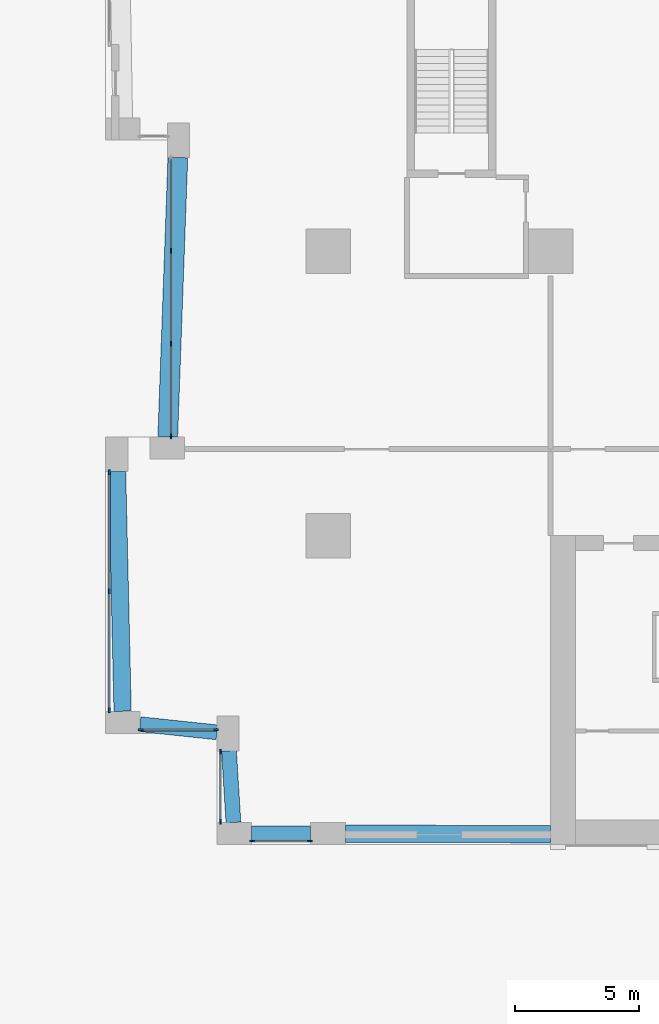
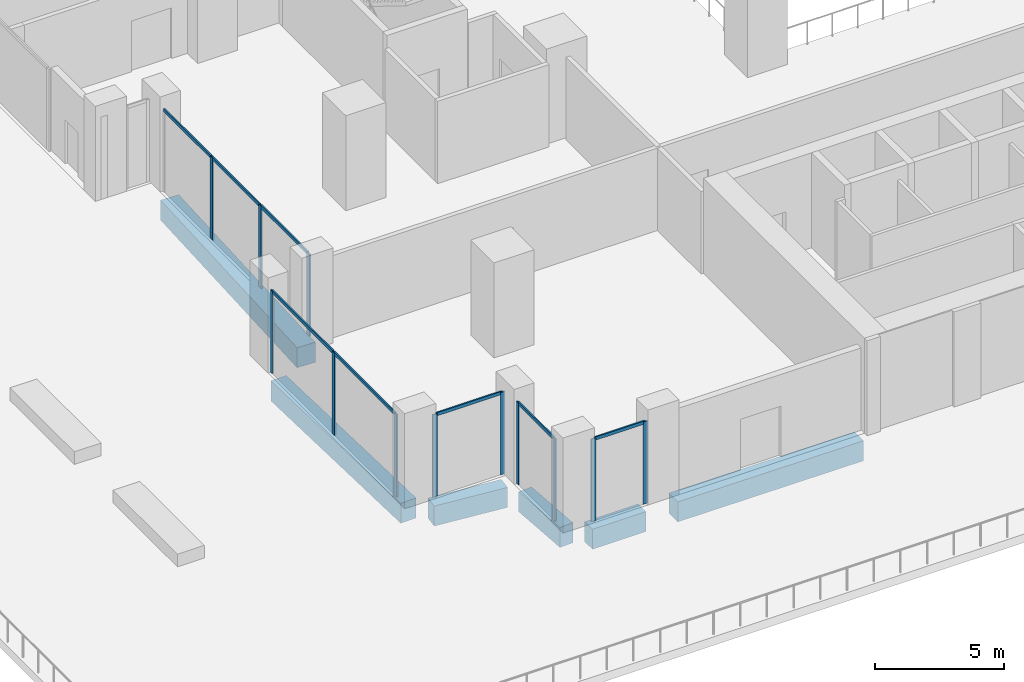
# One storey, part 2 of 19: 20 members, 6 beams, 5 elements without a shape of their own.
"""IFC4 building model written with IfcOpenShell, lengths in metres."""

from ifc_helpers import new_model, si_unit, direction, frame, origin, origin_2d, place, context, subcontext, project, spatial, rectangle, extrude, material, layer, layer_set, material_profile, profile_set, type_object, element, aggregate, save


model = new_model("IFC4")

# Units and contexts
model_context = context("Model", 3, precision=1e-05, world=origin(), true_north=direction((0.0, 1.0)))
body_context = subcontext(model_context, "Body", "Model", "MODEL_VIEW")
ifc_project = project(units=[si_unit("LENGTHUNIT", "METRE"), si_unit("AREAUNIT", "SQUARE_METRE"), si_unit("VOLUMEUNIT", "CUBIC_METRE"), si_unit("PLANEANGLEUNIT", "RADIAN"), si_unit("MASSUNIT", "GRAM", prefix="KILO")], contexts=[model_context])

# Site, building, storey
site_placement = place(None, origin())
site = spatial("IfcSite", under=ifc_project, at=site_placement, CompositionType="ELEMENT")
building_placement = place(site_placement, origin())
building = spatial("IfcBuilding", under=site, at=building_placement, Name="Brigalow Station Residences", CompositionType="ELEMENT")
storey_placement = place(building_placement, frame((0.0, 0.0, 11.0)))
storey = spatial("IfcBuildingStorey", under=building, at=storey_placement, Name="L02", CompositionType="ELEMENT", Elevation=11.0)

# Beams
ifc_material_1 = material(Name="Concrete C65", Category="concrete")
ifc_material_profile_1 = material_profile(ifc_material_1, rectangle(XDim=0.699951171875, YDim=0.949951171875, at=origin_2d()), Name="RC700x950")
ifc_profile_set_1 = profile_set([ifc_material_profile_1], Name="Concrete C65")
beam_type_1 = type_object("IfcBeamType", Name="EDGE GIRDER 4.5 TO 9.9 M SPAN 700x950 C65", PredefinedType="BEAM", material=ifc_profile_set_1)
beam_1_placement = place(storey_placement, frame((9.699951171875, 0.4482421875, -0.876953125), z_axis=(0.99999649594, -0.002647283132, 0.0), x_axis=(0.002647283132, 0.99999649594, 0.0)))
element("IfcBeam", 1, at=beam_1_placement, inside=storey, type_object=beam_type_1, Name="FOOTPRINT EDGE GIRDER 2 L02", PredefinedType="BEAM", context=body_context, shape_type="SweptSolid", body=[
    extrude(rectangle(XDim=0.699951171875, YDim=0.949951171875, at=origin_2d()), origin(), (0.0, 0.0, 1.0), 8.300048828125),
])
beam_2_placement = place(storey_placement, frame((0.466064453125, 15.10009765625, -0.876953125), z_axis=(0.023048340536, -0.999734351715, 0.0), x_axis=(0.999734351715, 0.023048340536, 0.0)))
element("IfcBeam", 2, at=beam_2_placement, inside=storey, type_object=beam_type_1, Name="FOOTPRINT EDGE GIRDER 24 L02", PredefinedType="BEAM", context=body_context, shape_type="SweptSolid", body=[
    extrude(rectangle(XDim=0.699951171875, YDim=0.949951171875, at=origin_2d()), origin(), (0.0, 0.0, 1.0), 9.702880859375),
])
ifc_material_2 = material(Name="Concrete C65", Category="concrete")
ifc_material_profile_2 = material_profile(ifc_material_2, rectangle(XDim=0.60009765625, YDim=0.949951171875, at=origin_2d()), Name="RC600x950")
ifc_profile_set_2 = profile_set([ifc_material_profile_2], Name="Concrete C65")
beam_type_2 = type_object("IfcBeamType", Name="EDGE GIRDER 600x950 C65", PredefinedType="BEAM", material=ifc_profile_set_2)
beam_3_placement = place(storey_placement, frame((5.89990234375, 0.449951171875, -0.876953125), z_axis=(1.0, 0.0, 0.0), x_axis=(0.0, 1.0, 0.0)))
element("IfcBeam", 3, at=beam_3_placement, inside=storey, type_object=beam_type_2, Name="FOOTPRINT EDGE GIRDER 1 L02", PredefinedType="BEAM", context=body_context, shape_type="SweptSolid", body=[
    extrude(rectangle(XDim=0.60009765625, YDim=0.949951171875, at=origin_2d()), origin(), (0.0, 0.0, 1.0), 2.400146484375),
])
beam_4_placement = place(storey_placement, frame((1.39990234375, 4.8759765625, -0.876953125), z_axis=(0.994437011556, -0.105332948539, 0.0), x_axis=(0.105332948539, 0.994437011556, 0.0)))
element("IfcBeam", 4, at=beam_4_placement, inside=storey, type_object=beam_type_2, Name="FOOTPRINT EDGE GIRDER 25 L02", PredefinedType="BEAM", context=body_context, shape_type="SweptSolid", body=[
    extrude(rectangle(XDim=0.60009765625, YDim=0.949951171875, at=origin_2d()), origin(), (0.0, 0.0, 1.0), 3.117431640625),
])
beam_5_placement = place(storey_placement, frame((4.9931640625, 3.800048828125, -0.876953125), z_axis=(0.061588391034, -0.998101633147, 0.0), x_axis=(0.998101633147, 0.061588391034, 0.0)))
element("IfcBeam", 5, at=beam_5_placement, inside=storey, type_object=beam_type_2, Name="FOOTPRINT EDGE GIRDER 26 L02", PredefinedType="BEAM", context=body_context, shape_type="SweptSolid", body=[
    extrude(rectangle(XDim=0.60009765625, YDim=0.949951171875, at=origin_2d()), origin(), (0.0, 0.0, 1.0), 2.90576171875),
])
ifc_material_3 = material(Name="Concrete C65", Category="concrete")
ifc_material_profile_3 = material_profile(ifc_material_3, rectangle(XDim=0.800048828125, YDim=0.949951171875, at=origin_2d()), Name="RC800x950")
ifc_profile_set_3 = profile_set([ifc_material_profile_3], Name="Concrete C65")
beam_type_3 = type_object("IfcBeamType", Name="EDGE GIRDER OVER 9.9 M SPAN 800x950 C65", PredefinedType="BEAM", material=ifc_profile_set_3)
beam_6_placement = place(storey_placement, frame((2.9248046875, 27.800048828125, -0.876953125), z_axis=(-0.036122030412, -0.999347386507, 0.0), x_axis=(0.999347386507, -0.036122030412, 0.0)))
element("IfcBeam", 6, at=beam_6_placement, inside=storey, type_object=beam_type_3, Name="FOOTPRINT EDGE GIRDER 23 L02", PredefinedType="BEAM", context=body_context, shape_type="SweptSolid", body=[
    extrude(rectangle(XDim=0.800048828125, YDim=0.949951171875, at=origin_2d()), origin(), (0.0, 0.0, 1.0), 11.307373046875),
])

# Curtain wall, members
ifc_material_4 = material(Name="Aluminium", Category="aluminium")
ifc_layer = layer(ifc_material_4, 0.199951171875)
ifc_layer_set = layer_set([ifc_layer], Name="PODIUM UNITISED GLAZING CURTAIN WALL")
curtain_wall_type = type_object("IfcCurtainWallType", Name="PODIUM UNITISED GLAZING CURTAIN WALL", PredefinedType="NOTDEFINED", material=ifc_layer_set)
curtain_wall_1_placement = place(storey_placement, origin())
curtain_wall_1 = element("IfcCurtainWall", 7, at=curtain_wall_1_placement, inside=storey, type_object=curtain_wall_type, Name="L02/cw/podium-W-L02-1-1", PredefinedType="NOTDEFINED")
ifc_material_5 = material(Name="Aluminium", Category="aluminium")
ifc_material_profile_4 = material_profile(ifc_material_5, rectangle(XDim=0.06494140625, YDim=0.199951171875, at=origin_2d()), Name="PODIUM UNITISED GLAZING MULLION 65x200")
ifc_profile_set_4 = profile_set([ifc_material_profile_4], Name="Aluminium")
member_type_1 = type_object("IfcMemberType", Name="PODIUM UNITISED GLAZING MULLION 65x200", PredefinedType="MULLION", material=ifc_profile_set_4)
member_1_placement = place(storey_placement, frame((5.9326171875, 0.14990234375, 0.0), z_axis=(0.0, 0.0, 1.0), x_axis=(0.0, 1.0, 0.0)))
member_1 = element("IfcMember", 8, at=member_1_placement, type_object=member_type_1, Name="L02/cw/podium-W-L02-1-1/M00", PredefinedType="MULLION", context=body_context, shape_type="SweptSolid", body=[
    extrude(rectangle(XDim=0.06494140625, YDim=0.199951171875, at=origin_2d()), origin(), (0.0, 0.0, 1.0), 3.89990234375),
])
member_2_placement = place(storey_placement, frame((8.267578125, 0.14990234375, 0.0), z_axis=(0.0, 0.0, 1.0), x_axis=(0.0, 1.0, 0.0)))
member_2 = element("IfcMember", 9, at=member_2_placement, type_object=member_type_1, Name="L02/cw/podium-W-L02-1-1/M01", PredefinedType="MULLION", context=body_context, shape_type="SweptSolid", body=[
    extrude(rectangle(XDim=0.06494140625, YDim=0.199951171875, at=origin_2d()), origin(), (0.0, 0.0, 1.0), 3.89990234375),
])

curtain_wall_2_placement = place(storey_placement, origin())
curtain_wall_2 = element("IfcCurtainWall", 10, at=curtain_wall_2_placement, inside=storey, type_object=curtain_wall_type, Name="L02/cw/podium-W-L02-47-22", PredefinedType="NOTDEFINED")
member_3_placement = place(storey_placement, frame((2.64990234375, 24.033203125, 0.0), z_axis=(0.0, 0.0, 1.0), x_axis=(1.0, 0.0, 0.0)))
member_3 = element("IfcMember", 11, at=member_3_placement, type_object=member_type_1, Name="L02/cw/podium-W-L02-47-22/M01", PredefinedType="MULLION", context=body_context, shape_type="SweptSolid", body=[
    extrude(rectangle(XDim=0.06494140625, YDim=0.199951171875, at=origin_2d()), origin(), (0.0, 0.0, 1.0), 3.89990234375),
])
member_4_placement = place(storey_placement, frame((2.64990234375, 20.2666015625, 0.0), z_axis=(0.0, 0.0, 1.0), x_axis=(1.0, 0.0, 0.0)))
member_4 = element("IfcMember", 12, at=member_4_placement, type_object=member_type_1, Name="L02/cw/podium-W-L02-47-22/M02", PredefinedType="MULLION", context=body_context, shape_type="SweptSolid", body=[
    extrude(rectangle(XDim=0.06494140625, YDim=0.199951171875, at=origin_2d()), origin(), (0.0, 0.0, 1.0), 3.89990234375),
])
member_5_placement = place(storey_placement, frame((2.64990234375, 16.532470703125, 0.0), z_axis=(0.0, 0.0, 1.0), x_axis=(1.0, 0.0, 0.0)))
member_5 = element("IfcMember", 13, at=member_5_placement, type_object=member_type_1, Name="L02/cw/podium-W-L02-47-22/M03", PredefinedType="MULLION", context=body_context, shape_type="SweptSolid", body=[
    extrude(rectangle(XDim=0.06494140625, YDim=0.199951171875, at=origin_2d()), origin(), (0.0, 0.0, 1.0), 3.89990234375),
])

curtain_wall_3_placement = place(storey_placement, origin())
curtain_wall_3 = element("IfcCurtainWall", 14, at=curtain_wall_3_placement, inside=storey, type_object=curtain_wall_type, Name="L02/cw/podium-W-L02-51-23", PredefinedType="NOTDEFINED")
member_6_placement = place(storey_placement, frame((0.14990234375, 15.0673828125, 0.0), z_axis=(0.0, 0.0, 1.0), x_axis=(1.0, 0.0, 0.0)))
member_6 = element("IfcMember", 15, at=member_6_placement, type_object=member_type_1, Name="L02/cw/podium-W-L02-51-23/M00", PredefinedType="MULLION", context=body_context, shape_type="SweptSolid", body=[
    extrude(rectangle(XDim=0.06494140625, YDim=0.199951171875, at=origin_2d()), origin(), (0.0, 0.0, 1.0), 3.89990234375),
])
member_7_placement = place(storey_placement, frame((0.14990234375, 10.25, 0.0), z_axis=(0.0, 0.0, 1.0), x_axis=(1.0, 0.0, 0.0)))
member_7 = element("IfcMember", 16, at=member_7_placement, type_object=member_type_1, Name="L02/cw/podium-W-L02-51-23/M01", PredefinedType="MULLION", context=body_context, shape_type="SweptSolid", body=[
    extrude(rectangle(XDim=0.06494140625, YDim=0.199951171875, at=origin_2d()), origin(), (0.0, 0.0, 1.0), 3.89990234375),
])
member_8_placement = place(storey_placement, frame((0.14990234375, 5.4326171875, 0.0), z_axis=(0.0, 0.0, 1.0), x_axis=(1.0, 0.0, 0.0)))
member_8 = element("IfcMember", 17, at=member_8_placement, type_object=member_type_1, Name="L02/cw/podium-W-L02-51-23/M02", PredefinedType="MULLION", context=body_context, shape_type="SweptSolid", body=[
    extrude(rectangle(XDim=0.06494140625, YDim=0.199951171875, at=origin_2d()), origin(), (0.0, 0.0, 1.0), 3.89990234375),
])

curtain_wall_4_placement = place(storey_placement, origin())
curtain_wall_4 = element("IfcCurtainWall", 18, at=curtain_wall_4_placement, inside=storey, type_object=curtain_wall_type, Name="L02/cw/podium-W-L02-54-24", PredefinedType="NOTDEFINED")
member_9_placement = place(storey_placement, frame((1.4326171875, 4.64990234375, 0.0), z_axis=(0.0, 0.0, 1.0), x_axis=(0.0, 1.0, 0.0)))
member_9 = element("IfcMember", 19, at=member_9_placement, type_object=member_type_1, Name="L02/cw/podium-W-L02-54-24/M00", PredefinedType="MULLION", context=body_context, shape_type="SweptSolid", body=[
    extrude(rectangle(XDim=0.06494140625, YDim=0.199951171875, at=origin_2d()), origin(), (0.0, 0.0, 1.0), 3.89990234375),
])
member_10_placement = place(storey_placement, frame((4.467529296875, 4.64990234375, 0.0), z_axis=(0.0, 0.0, 1.0), x_axis=(0.0, 1.0, 0.0)))
member_10 = element("IfcMember", 20, at=member_10_placement, type_object=member_type_1, Name="L02/cw/podium-W-L02-54-24/M01", PredefinedType="MULLION", context=body_context, shape_type="SweptSolid", body=[
    extrude(rectangle(XDim=0.06494140625, YDim=0.199951171875, at=origin_2d()), origin(), (0.0, 0.0, 1.0), 3.89990234375),
])

curtain_wall_5_placement = place(storey_placement, origin())
curtain_wall_5 = element("IfcCurtainWall", 21, at=curtain_wall_5_placement, inside=storey, type_object=curtain_wall_type, Name="L02/cw/podium-W-L02-55-25", PredefinedType="NOTDEFINED")
member_11_placement = place(storey_placement, frame((4.64990234375, 3.767578125, 0.0), z_axis=(0.0, 0.0, 1.0), x_axis=(1.0, 0.0, 0.0)))
member_11 = element("IfcMember", 22, at=member_11_placement, type_object=member_type_1, Name="L02/cw/podium-W-L02-55-25/M00", PredefinedType="MULLION", context=body_context, shape_type="SweptSolid", body=[
    extrude(rectangle(XDim=0.06494140625, YDim=0.199951171875, at=origin_2d()), origin(), (0.0, 0.0, 1.0), 3.89990234375),
])
member_12_placement = place(storey_placement, frame((4.64990234375, 0.9326171875, 0.0), z_axis=(0.0, 0.0, 1.0), x_axis=(1.0, 0.0, 0.0)))
member_12 = element("IfcMember", 23, at=member_12_placement, type_object=member_type_1, Name="L02/cw/podium-W-L02-55-25/M01", PredefinedType="MULLION", context=body_context, shape_type="SweptSolid", body=[
    extrude(rectangle(XDim=0.06494140625, YDim=0.199951171875, at=origin_2d()), origin(), (0.0, 0.0, 1.0), 3.89990234375),
])

# Member
ifc_material_6 = material(Name="Aluminium", Category="aluminium")
ifc_material_profile_5 = material_profile(ifc_material_6, rectangle(XDim=0.06494140625, YDim=0.14990234375, at=origin_2d()), Name="PODIUM UNITISED GLAZING TRANSOM 65x150")
ifc_profile_set_5 = profile_set([ifc_material_profile_5], Name="Aluminium")
member_type_2 = type_object("IfcMemberType", Name="PODIUM UNITISED GLAZING TRANSOM 65x150", PredefinedType="USERDEFINED", material=ifc_profile_set_5)
member_13_placement = place(storey_placement, frame((5.965087890625, 0.14990234375, 3.867431640625), z_axis=(1.0, 0.0, 0.0), x_axis=(0.0, 1.0, 0.0)))
member_13 = element("IfcMember", 24, at=member_13_placement, type_object=member_type_2, Name="L02/cw/podium-W-L02-1-1/T00-00", ObjectType="TRANSOM", PredefinedType="USERDEFINED", context=body_context, shape_type="SweptSolid", body=[
    extrude(rectangle(XDim=0.06494140625, YDim=0.14990234375, at=origin_2d()), origin(), (0.0, 0.0, 1.0), 2.27001953125),
])

aggregate(curtain_wall_1, [member_1, member_2, member_13])

member_14_placement = place(storey_placement, frame((2.64990234375, 27.735107421875, 3.867431640625), z_axis=(0.0, -1.0, 0.0), x_axis=(1.0, 0.0, 0.0)))
member_14 = element("IfcMember", 25, at=member_14_placement, type_object=member_type_2, Name="L02/cw/podium-W-L02-47-22/T00-00", ObjectType="TRANSOM", PredefinedType="USERDEFINED", context=body_context, shape_type="SweptSolid", body=[
    extrude(rectangle(XDim=0.06494140625, YDim=0.14990234375, at=origin_2d()), origin(), (0.0, 0.0, 1.0), 3.669189453125),
])

member_15_placement = place(storey_placement, frame((2.64990234375, 24.000732421875, 3.867431640625), z_axis=(0.0, -1.0, 0.0), x_axis=(1.0, 0.0, 0.0)))
member_15 = element("IfcMember", 26, at=member_15_placement, type_object=member_type_2, Name="L02/cw/podium-W-L02-47-22/T01-00", ObjectType="TRANSOM", PredefinedType="USERDEFINED", context=body_context, shape_type="SweptSolid", body=[
    extrude(rectangle(XDim=0.06494140625, YDim=0.14990234375, at=origin_2d()), origin(), (0.0, 0.0, 1.0), 3.701416015625),
])

member_16_placement = place(storey_placement, frame((2.64990234375, 20.234130859375, 3.867431640625), z_axis=(0.0, -1.0, 0.0), x_axis=(1.0, 0.0, 0.0)))
member_16 = element("IfcMember", 27, at=member_16_placement, type_object=member_type_2, Name="L02/cw/podium-W-L02-47-22/T02-00", ObjectType="TRANSOM", PredefinedType="USERDEFINED", context=body_context, shape_type="SweptSolid", body=[
    extrude(rectangle(XDim=0.06494140625, YDim=0.14990234375, at=origin_2d()), origin(), (0.0, 0.0, 1.0), 3.669189453125),
])

aggregate(curtain_wall_2, [member_3, member_4, member_5, member_14, member_15, member_16])

member_17_placement = place(storey_placement, frame((0.14990234375, 15.034912109375, 3.867431640625), z_axis=(0.0, -1.0, 0.0), x_axis=(1.0, 0.0, 0.0)))
member_17 = element("IfcMember", 28, at=member_17_placement, type_object=member_type_2, Name="L02/cw/podium-W-L02-51-23/T00-00", ObjectType="TRANSOM", PredefinedType="USERDEFINED", context=body_context, shape_type="SweptSolid", body=[
    extrude(rectangle(XDim=0.06494140625, YDim=0.14990234375, at=origin_2d()), origin(), (0.0, 0.0, 1.0), 4.75244140625),
])

member_18_placement = place(storey_placement, frame((0.14990234375, 10.217529296875, 3.867431640625), z_axis=(0.0, -1.0, 0.0), x_axis=(1.0, 0.0, 0.0)))
member_18 = element("IfcMember", 29, at=member_18_placement, type_object=member_type_2, Name="L02/cw/podium-W-L02-51-23/T01-00", ObjectType="TRANSOM", PredefinedType="USERDEFINED", context=body_context, shape_type="SweptSolid", body=[
    extrude(rectangle(XDim=0.06494140625, YDim=0.14990234375, at=origin_2d()), origin(), (0.0, 0.0, 1.0), 4.75244140625),
])

aggregate(curtain_wall_3, [member_6, member_7, member_8, member_17, member_18])

member_19_placement = place(storey_placement, frame((1.465087890625, 4.64990234375, 3.867431640625), z_axis=(1.0, 0.0, 0.0), x_axis=(0.0, 1.0, 0.0)))
member_19 = element("IfcMember", 30, at=member_19_placement, type_object=member_type_2, Name="L02/cw/podium-W-L02-54-24/T00-00", ObjectType="TRANSOM", PredefinedType="USERDEFINED", context=body_context, shape_type="SweptSolid", body=[
    extrude(rectangle(XDim=0.06494140625, YDim=0.14990234375, at=origin_2d()), origin(), (0.0, 0.0, 1.0), 2.969970703125),
])

aggregate(curtain_wall_4, [member_9, member_10, member_19])

member_20_placement = place(storey_placement, frame((4.64990234375, 3.735107421875, 3.867431640625), z_axis=(0.0, -1.0, 0.0), x_axis=(1.0, 0.0, 0.0)))
member_20 = element("IfcMember", 31, at=member_20_placement, type_object=member_type_2, Name="L02/cw/podium-W-L02-55-25/T00-00", ObjectType="TRANSOM", PredefinedType="USERDEFINED", context=body_context, shape_type="SweptSolid", body=[
    extrude(rectangle(XDim=0.06494140625, YDim=0.14990234375, at=origin_2d()), origin(), (0.0, 0.0, 1.0), 2.77001953125),
])

aggregate(curtain_wall_5, [member_11, member_12, member_20])

save(model, "model.ifc")
